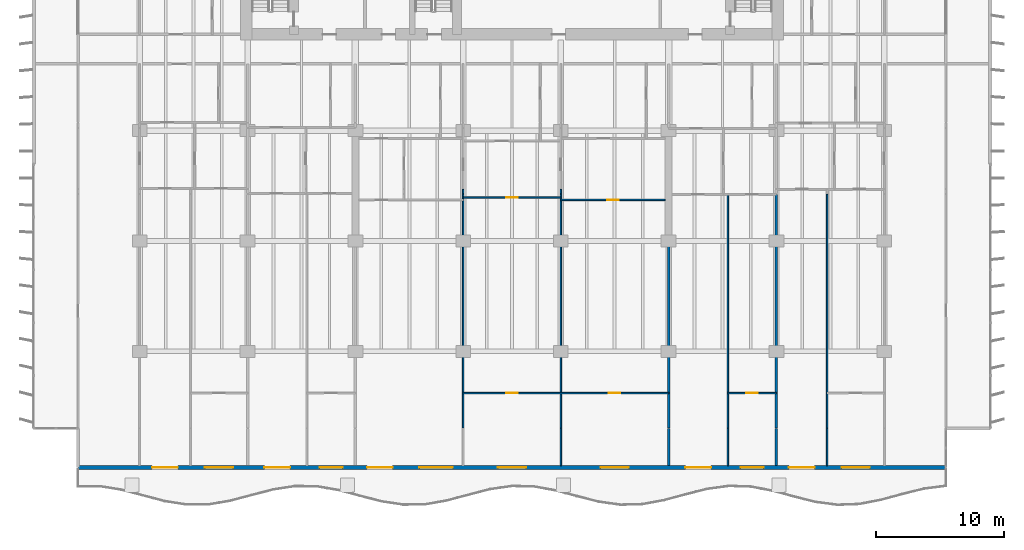
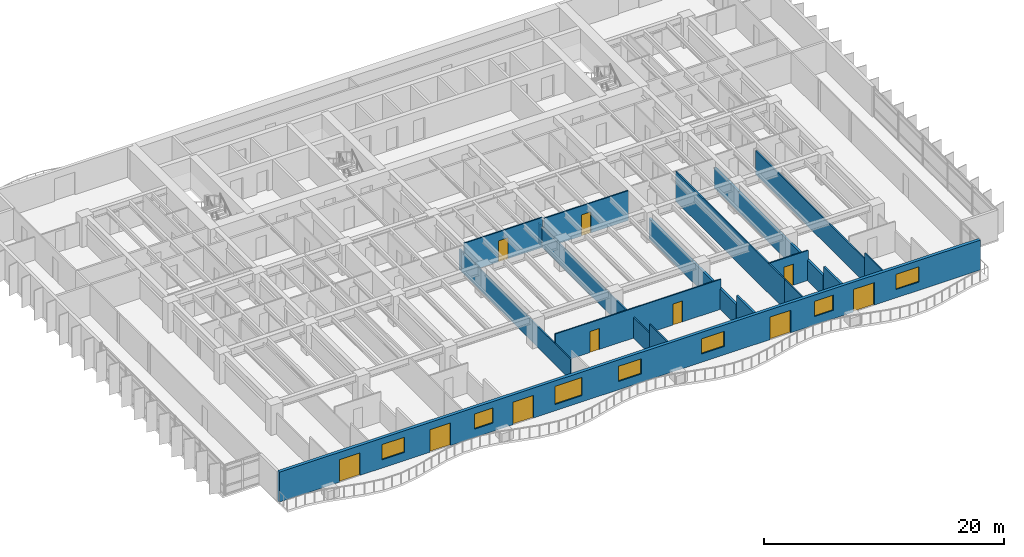
# One storey, part 8 of 17: 18 walls, 10 doors, 7 windows, 17 openings.
"""IFC4 building model written with IfcOpenShell, lengths in metres."""

from ifc_helpers import new_model, si_unit, direction, frame, frame_2d, origin, place, context, subcontext, project, spatial, rectangle, extrude, material, layer, layer_set, type_object, element, fill, save


model = new_model("IFC4")

# Units and contexts
model_context = context("Model", 3, precision=1e-05, world=origin(), true_north=direction((0.0, 1.0)))
body_context = subcontext(model_context, "Body", "Model", "MODEL_VIEW")
ifc_project = project(units=[si_unit("LENGTHUNIT", "METRE"), si_unit("AREAUNIT", "SQUARE_METRE"), si_unit("VOLUMEUNIT", "CUBIC_METRE"), si_unit("PLANEANGLEUNIT", "RADIAN"), si_unit("MASSUNIT", "GRAM", prefix="KILO")], contexts=[model_context])

# Site, building, storey
site_placement = place(None, origin())
site = spatial("IfcSite", under=ifc_project, at=site_placement, CompositionType="ELEMENT")
building_placement = place(site_placement, origin())
building = spatial("IfcBuilding", under=site, at=building_placement, Name="Caelmar Bay Residences", CompositionType="ELEMENT")
storey_placement = place(building_placement, frame((0.0, 0.0, 53.10009765625)))
storey = spatial("IfcBuildingStorey", under=building, at=storey_placement, Name="L13", CompositionType="ELEMENT", Elevation=53.10009765625)

# Wall, openings, doors, windows
ifc_material_1 = material(Name="Precast concrete f'c 40 MPa (6,000 psi)", Category="concrete")
ifc_layer_1 = layer(ifc_material_1, 0.300048828125)
ifc_layer_set_1 = layer_set([ifc_layer_1], Name="Precast concrete f'c 40 MPa (6,000 psi)")
wall_type_1 = type_object("IfcWallType", Name="W-EXT-300", PredefinedType="STANDARD", material=ifc_layer_set_1)
wall_1_placement = place(storey_placement, frame((72.699951171875, 3.14990234375, 0.0), z_axis=(0.0, 0.0, 1.0), x_axis=(-1.0, 0.0, 0.0)))
wall_1 = element("IfcWall", 1, at=wall_1_placement, inside=storey, type_object=wall_type_1, Name="L13 South Bayfront Exterior Wall", PredefinedType="STANDARD", context=body_context, shape_type="SweptSolid", body=[
    extrude(rectangle(XDim=67.599853515625, YDim=0.300048828125, at=frame_2d((33.7998046875, 0.0))), origin(), (0.0, 0.0, 1.0), 3.0498046875),
])
opening_1_placement = place(wall_1_placement, frame((59.825927734375, 0.0, 0.0)))
opening_1 = element("IfcOpeningElement", 2, at=opening_1_placement, cuts=wall_1, Name="Opening L13-BD01", PredefinedType="OPENING", context=body_context, shape_type="SweptSolid", body=[
    extrude(rectangle(XDim=2.0, YDim=2.300048828125, at=frame_2d((1.0, 1.14990234375))), frame((0.0, 0.159912109375, 0.0), z_axis=(0.0, -1.0, 0.0), x_axis=(1.0, 0.0, 0.0)), (0.0, 0.0, 1.0), 0.320068359375),
])
opening_2_placement = place(wall_1_placement, frame((55.52587890625, 0.0, 0.85009765625)))
opening_2 = element("IfcOpeningElement", 3, at=opening_2_placement, cuts=wall_1, Name="Opening WN2", PredefinedType="OPENING", context=body_context, shape_type="SweptSolid", body=[
    extrude(rectangle(XDim=2.199951171875, YDim=1.550048828125, at=frame_2d((1.10009765625, 0.77490234375))), frame((0.0, 0.159912109375, 0.0), z_axis=(0.0, -1.0, 0.0), x_axis=(1.0, 0.0, 0.0)), (0.0, 0.0, 1.0), 0.320068359375),
])
opening_3_placement = place(wall_1_placement, frame((51.090087890625, 0.0, 0.0)))
opening_3 = element("IfcOpeningElement", 4, at=opening_3_placement, cuts=wall_1, Name="Opening L13-BD02", PredefinedType="OPENING", context=body_context, shape_type="SweptSolid", body=[
    extrude(rectangle(XDim=2.0, YDim=2.300048828125, at=frame_2d((1.0, 1.14990234375))), frame((0.0, 0.159912109375, 0.0), z_axis=(0.0, -1.0, 0.0), x_axis=(1.0, 0.0, 0.0)), (0.0, 0.0, 1.0), 0.320068359375),
])
opening_4_placement = place(wall_1_placement, frame((46.989990234375, 0.0, 0.85009765625)))
opening_4 = element("IfcOpeningElement", 5, at=opening_4_placement, cuts=wall_1, Name="Opening WN1", PredefinedType="OPENING", context=body_context, shape_type="SweptSolid", body=[
    extrude(rectangle(XDim=1.800048828125, YDim=1.550048828125, at=frame_2d((0.89990234375, 0.77490234375))), frame((0.0, 0.159912109375, 0.0), z_axis=(0.0, -1.0, 0.0), x_axis=(1.0, 0.0, 0.0)), (0.0, 0.0, 1.0), 0.320068359375),
])
opening_5_placement = place(wall_1_placement, frame((43.090087890625, 0.0, 0.0)))
opening_5 = element("IfcOpeningElement", 6, at=opening_5_placement, cuts=wall_1, Name="Opening L13-BD03", PredefinedType="OPENING", context=body_context, shape_type="SweptSolid", body=[
    extrude(rectangle(XDim=2.0, YDim=2.300048828125, at=frame_2d((1.0, 1.14990234375))), frame((0.0, 0.159912109375, 0.0), z_axis=(0.0, -1.0, 0.0), x_axis=(1.0, 0.0, 0.0)), (0.0, 0.0, 1.0), 0.320068359375),
])
opening_6_placement = place(wall_1_placement, frame((38.409912109375, 0.0, 0.64990234375)))
opening_6 = element("IfcOpeningElement", 7, at=opening_6_placement, cuts=wall_1, Name="Opening WN3", PredefinedType="OPENING", context=body_context, shape_type="SweptSolid", body=[
    extrude(rectangle(XDim=2.60009765625, YDim=1.85009765625, at=frame_2d((1.300048828125, 0.925048828125))), frame((0.0, 0.159912109375, 0.0), z_axis=(0.0, -1.0, 0.0), x_axis=(1.0, 0.0, 0.0)), (0.0, 0.0, 1.0), 0.320068359375),
])
opening_7_placement = place(wall_1_placement, frame((32.699951171875, 0.0, 0.85009765625)))
opening_7 = element("IfcOpeningElement", 8, at=opening_7_placement, cuts=wall_1, Name="Opening WN2", PredefinedType="OPENING", context=body_context, shape_type="SweptSolid", body=[
    extrude(rectangle(XDim=2.199951171875, YDim=1.550048828125, at=frame_2d((1.10009765625, 0.77490234375))), frame((0.0, 0.159912109375, 0.0), z_axis=(0.0, -1.0, 0.0), x_axis=(1.0, 0.0, 0.0)), (0.0, 0.0, 1.0), 0.320068359375),
])
opening_8_placement = place(wall_1_placement, frame((24.699951171875, 0.0, 0.85009765625)))
opening_8 = element("IfcOpeningElement", 9, at=opening_8_placement, cuts=wall_1, Name="Opening WN2", PredefinedType="OPENING", context=body_context, shape_type="SweptSolid", body=[
    extrude(rectangle(XDim=2.199951171875, YDim=1.550048828125, at=frame_2d((1.10009765625, 0.77490234375))), frame((0.0, 0.159912109375, 0.0), z_axis=(0.0, -1.0, 0.0), x_axis=(1.0, 0.0, 0.0)), (0.0, 0.0, 1.0), 0.320068359375),
])
opening_9_placement = place(wall_1_placement, frame((18.2900390625, 0.0, 0.0)))
opening_9 = element("IfcOpeningElement", 10, at=opening_9_placement, cuts=wall_1, Name="Opening L13-BD04", PredefinedType="OPENING", context=body_context, shape_type="SweptSolid", body=[
    extrude(rectangle(XDim=2.0, YDim=2.300048828125, at=frame_2d((1.0, 1.14990234375))), frame((0.0, 0.159912109375, 0.0), z_axis=(0.0, -1.0, 0.0), x_axis=(1.0, 0.0, 0.0)), (0.0, 0.0, 1.0), 0.320068359375),
])
opening_10_placement = place(wall_1_placement, frame((14.18994140625, 0.0, 0.85009765625)))
opening_10 = element("IfcOpeningElement", 11, at=opening_10_placement, cuts=wall_1, Name="Opening WN1", PredefinedType="OPENING", context=body_context, shape_type="SweptSolid", body=[
    extrude(rectangle(XDim=1.800048828125, YDim=1.550048828125, at=frame_2d((0.89990234375, 0.77490234375))), frame((0.0, 0.159912109375, 0.0), z_axis=(0.0, -1.0, 0.0), x_axis=(1.0, 0.0, 0.0)), (0.0, 0.0, 1.0), 0.320068359375),
])
opening_11_placement = place(wall_1_placement, frame((10.22607421875, 0.0, 0.0)))
opening_11 = element("IfcOpeningElement", 12, at=opening_11_placement, cuts=wall_1, Name="Opening L13-BD05", PredefinedType="OPENING", context=body_context, shape_type="SweptSolid", body=[
    extrude(rectangle(XDim=2.0, YDim=2.300048828125, at=frame_2d((1.0, 1.14990234375))), frame((0.0, 0.159912109375, 0.0), z_axis=(0.0, -1.0, 0.0), x_axis=(1.0, 0.0, 0.0)), (0.0, 0.0, 1.0), 0.320068359375),
])
opening_12_placement = place(wall_1_placement, frame((5.926025390625, 0.0, 0.85009765625)))
opening_12 = element("IfcOpeningElement", 13, at=opening_12_placement, cuts=wall_1, Name="Opening WN2", PredefinedType="OPENING", context=body_context, shape_type="SweptSolid", body=[
    extrude(rectangle(XDim=2.199951171875, YDim=1.550048828125, at=frame_2d((1.10009765625, 0.77490234375))), frame((0.0, 0.159912109375, 0.0), z_axis=(0.0, -1.0, 0.0), x_axis=(1.0, 0.0, 0.0)), (0.0, 0.0, 1.0), 0.320068359375),
])
ifc_material_2 = material(Name="Anodised bronze thermally broken sliding glass door", Category="glass")
ifc_layer_2 = layer(ifc_material_2, 0.050048828125)
ifc_layer_set_2 = layer_set([ifc_layer_2], Name="Anodised bronze thermally broken sliding glass door")
door_type_1 = type_object("IfcDoorType", Name="D-BAL-2000", OperationType="DOUBLE_DOOR_SLIDING", PredefinedType="DOOR", material=ifc_layer_set_2)
door_1_placement = place(opening_1_placement, origin())
door_1 = element("IfcDoor", 14, at=door_1_placement, inside=storey, type_object=door_type_1, Name="L13 Residence 01 Penthouse Living Salon Balcony Door", OperationType="DOUBLE_DOOR_SLIDING", OverallHeight=2.300048828125, OverallWidth=2.0, PredefinedType="DOOR", context=body_context, shape_type="SweptSolid", body=[
    extrude(rectangle(XDim=2.0, YDim=2.300048828125, at=frame_2d((1.0, 1.14990234375))), frame((0.0, 0.02490234375, 0.0), z_axis=(0.0, -1.0, 0.0), x_axis=(1.0, 0.0, 0.0)), (0.0, 0.0, 1.0), 0.050048828125),
])
fill(opening_1, door_1)
door_2_placement = place(opening_3_placement, origin())
door_2 = element("IfcDoor", 15, at=door_2_placement, inside=storey, type_object=door_type_1, Name="L13 Residence 02 Penthouse Living Salon Balcony Door", OperationType="DOUBLE_DOOR_SLIDING", OverallHeight=2.300048828125, OverallWidth=2.0, PredefinedType="DOOR", context=body_context, shape_type="SweptSolid", body=[
    extrude(rectangle(XDim=2.0, YDim=2.300048828125, at=frame_2d((1.0, 1.14990234375))), frame((0.0, 0.02490234375, 0.0), z_axis=(0.0, -1.0, 0.0), x_axis=(1.0, 0.0, 0.0)), (0.0, 0.0, 1.0), 0.050048828125),
])
fill(opening_3, door_2)
door_3_placement = place(opening_5_placement, origin())
door_3 = element("IfcDoor", 16, at=door_3_placement, inside=storey, type_object=door_type_1, Name="L13 Residence 03 Penthouse Living Salon Balcony Door", OperationType="DOUBLE_DOOR_SLIDING", OverallHeight=2.300048828125, OverallWidth=2.0, PredefinedType="DOOR", context=body_context, shape_type="SweptSolid", body=[
    extrude(rectangle(XDim=2.0, YDim=2.300048828125, at=frame_2d((1.0, 1.14990234375))), frame((0.0, 0.02490234375, 0.0), z_axis=(0.0, -1.0, 0.0), x_axis=(1.0, 0.0, 0.0)), (0.0, 0.0, 1.0), 0.050048828125),
])
fill(opening_5, door_3)
door_4_placement = place(opening_9_placement, origin())
door_4 = element("IfcDoor", 17, at=door_4_placement, inside=storey, type_object=door_type_1, Name="L13 Residence 04 Penthouse Living Salon Balcony Door", OperationType="DOUBLE_DOOR_SLIDING", OverallHeight=2.300048828125, OverallWidth=2.0, PredefinedType="DOOR", context=body_context, shape_type="SweptSolid", body=[
    extrude(rectangle(XDim=2.0, YDim=2.300048828125, at=frame_2d((1.0, 1.14990234375))), frame((0.0, 0.02490234375, 0.0), z_axis=(0.0, -1.0, 0.0), x_axis=(1.0, 0.0, 0.0)), (0.0, 0.0, 1.0), 0.050048828125),
])
fill(opening_9, door_4)
door_5_placement = place(opening_11_placement, origin())
door_5 = element("IfcDoor", 18, at=door_5_placement, inside=storey, type_object=door_type_1, Name="L13 Residence 05 Penthouse Living Salon Balcony Door", OperationType="DOUBLE_DOOR_SLIDING", OverallHeight=2.300048828125, OverallWidth=2.0, PredefinedType="DOOR", context=body_context, shape_type="SweptSolid", body=[
    extrude(rectangle(XDim=2.0, YDim=2.300048828125, at=frame_2d((1.0, 1.14990234375))), frame((0.0, 0.02490234375, 0.0), z_axis=(0.0, -1.0, 0.0), x_axis=(1.0, 0.0, 0.0)), (0.0, 0.0, 1.0), 0.050048828125),
])
fill(opening_11, door_5)
ifc_material_3 = material(Name="Bronze aluminium frame with laminated low-E glass", Category="aluminium")
ifc_layer_3 = layer(ifc_material_3, 0.06005859375)
ifc_layer_set_3 = layer_set([ifc_layer_3], Name="Bronze aluminium frame with laminated low-E glass")
window_type_1 = type_object("IfcWindowType", Name="WIN-BR-1800", PartitioningType="SINGLE_PANEL", PredefinedType="WINDOW", material=ifc_layer_set_3)
window_1_placement = place(opening_4_placement, origin())
window_1 = element("IfcWindow", 19, at=window_1_placement, inside=storey, type_object=window_type_1, Name="L13 Residence 02 Primary Bedroom Window", OverallHeight=1.550048828125, OverallWidth=1.800048828125, PartitioningType="SINGLE_PANEL", PredefinedType="WINDOW", context=body_context, shape_type="SweptSolid", body=[
    extrude(rectangle(XDim=1.800048828125, YDim=1.550048828125, at=frame_2d((0.89990234375, 0.77490234375))), frame((0.0, 0.030029296875, 0.0), z_axis=(0.0, -1.0, 0.0), x_axis=(1.0, 0.0, 0.0)), (0.0, 0.0, 1.0), 0.06005859375),
])
fill(opening_4, window_1)
window_2_placement = place(opening_10_placement, origin())
window_2 = element("IfcWindow", 20, at=window_2_placement, inside=storey, type_object=window_type_1, Name="L13 Residence 04 Primary Bedroom Window", OverallHeight=1.550048828125, OverallWidth=1.800048828125, PartitioningType="SINGLE_PANEL", PredefinedType="WINDOW", context=body_context, shape_type="SweptSolid", body=[
    extrude(rectangle(XDim=1.800048828125, YDim=1.550048828125, at=frame_2d((0.89990234375, 0.77490234375))), frame((0.0, 0.030029296875, 0.0), z_axis=(0.0, -1.0, 0.0), x_axis=(1.0, 0.0, 0.0)), (0.0, 0.0, 1.0), 0.06005859375),
])
fill(opening_10, window_2)
ifc_layer_4 = layer(ifc_material_3, 0.06005859375)
ifc_layer_set_4 = layer_set([ifc_layer_4], Name="Bronze aluminium frame with laminated low-E glass")
window_type_2 = type_object("IfcWindowType", Name="WIN-BR-2200", PartitioningType="SINGLE_PANEL", PredefinedType="WINDOW", material=ifc_layer_set_4)
window_3_placement = place(opening_2_placement, origin())
window_3 = element("IfcWindow", 21, at=window_3_placement, inside=storey, type_object=window_type_2, Name="L13 Residence 01 Primary Bedroom Window", OverallHeight=1.550048828125, OverallWidth=2.199951171875, PartitioningType="SINGLE_PANEL", PredefinedType="WINDOW", context=body_context, shape_type="SweptSolid", body=[
    extrude(rectangle(XDim=2.199951171875, YDim=1.550048828125, at=frame_2d((1.10009765625, 0.77490234375))), frame((0.0, 0.030029296875, 0.0), z_axis=(0.0, -1.0, 0.0), x_axis=(1.0, 0.0, 0.0)), (0.0, 0.0, 1.0), 0.06005859375),
])
fill(opening_2, window_3)
window_4_placement = place(opening_7_placement, origin())
window_4 = element("IfcWindow", 22, at=window_4_placement, inside=storey, type_object=window_type_2, Name="L13 Residence 03 Primary Bedroom 1 Window", OverallHeight=1.550048828125, OverallWidth=2.199951171875, PartitioningType="SINGLE_PANEL", PredefinedType="WINDOW", context=body_context, shape_type="SweptSolid", body=[
    extrude(rectangle(XDim=2.199951171875, YDim=1.550048828125, at=frame_2d((1.10009765625, 0.77490234375))), frame((0.0, 0.030029296875, 0.0), z_axis=(0.0, -1.0, 0.0), x_axis=(1.0, 0.0, 0.0)), (0.0, 0.0, 1.0), 0.06005859375),
])
fill(opening_7, window_4)
window_5_placement = place(opening_8_placement, origin())
window_5 = element("IfcWindow", 23, at=window_5_placement, inside=storey, type_object=window_type_2, Name="L13 Residence 03 Primary Bedroom 2 Window", OverallHeight=1.550048828125, OverallWidth=2.199951171875, PartitioningType="SINGLE_PANEL", PredefinedType="WINDOW", context=body_context, shape_type="SweptSolid", body=[
    extrude(rectangle(XDim=2.199951171875, YDim=1.550048828125, at=frame_2d((1.10009765625, 0.77490234375))), frame((0.0, 0.030029296875, 0.0), z_axis=(0.0, -1.0, 0.0), x_axis=(1.0, 0.0, 0.0)), (0.0, 0.0, 1.0), 0.06005859375),
])
fill(opening_8, window_5)
window_6_placement = place(opening_12_placement, origin())
window_6 = element("IfcWindow", 24, at=window_6_placement, inside=storey, type_object=window_type_2, Name="L13 Residence 05 Primary Bedroom Window", OverallHeight=1.550048828125, OverallWidth=2.199951171875, PartitioningType="SINGLE_PANEL", PredefinedType="WINDOW", context=body_context, shape_type="SweptSolid", body=[
    extrude(rectangle(XDim=2.199951171875, YDim=1.550048828125, at=frame_2d((1.10009765625, 0.77490234375))), frame((0.0, 0.030029296875, 0.0), z_axis=(0.0, -1.0, 0.0), x_axis=(1.0, 0.0, 0.0)), (0.0, 0.0, 1.0), 0.06005859375),
])
fill(opening_12, window_6)
ifc_layer_5 = layer(ifc_material_3, 0.06005859375)
ifc_layer_set_5 = layer_set([ifc_layer_5], Name="Bronze aluminium frame with laminated low-E glass")
window_type_3 = type_object("IfcWindowType", Name="WIN-LIV-2600", PartitioningType="SINGLE_PANEL", PredefinedType="WINDOW", material=ifc_layer_set_5)
window_7_placement = place(opening_6_placement, origin())
window_7 = element("IfcWindow", 25, at=window_7_placement, inside=storey, type_object=window_type_3, Name="L13 Residence 03 Penthouse Living Salon Panoramic Window", OverallHeight=1.85009765625, OverallWidth=2.60009765625, PartitioningType="SINGLE_PANEL", PredefinedType="WINDOW", context=body_context, shape_type="SweptSolid", body=[
    extrude(rectangle(XDim=2.60009765625, YDim=1.85009765625, at=frame_2d((1.300048828125, 0.925048828125))), frame((0.0, 0.030029296875, 0.0), z_axis=(0.0, -1.0, 0.0), x_axis=(1.0, 0.0, 0.0)), (0.0, 0.0, 1.0), 0.06005859375),
])
fill(opening_6, window_7)

# Walls
ifc_material_4 = material(Name="Acoustic metal-stud gypsum partition 120 mm")
ifc_layer_6 = layer(ifc_material_4, 0.1201171875)
ifc_layer_set_6 = layer_set([ifc_layer_6], Name="Acoustic metal-stud gypsum partition 120 mm")
wall_type_2 = type_object("IfcWallType", Name="W-PRT-120", PredefinedType="PARTITIONING", material=ifc_layer_set_6)
wall_2_placement = place(storey_placement, frame((35.10009765625, 6.239990234375, 0.0), z_axis=(0.0, 0.0, 1.0), x_axis=(0.0, 1.0, 0.0)))
element("IfcWall", 26, at=wall_2_placement, inside=storey, type_object=wall_type_2, Name="L13 Partition Wall V049", PredefinedType="PARTITIONING", context=body_context, shape_type="SweptSolid", body=[
    extrude(rectangle(XDim=18.18994140625, YDim=0.1201171875, at=frame_2d((9.094970703125, 0.0))), origin(), (0.0, 0.0, 1.0), 2.10986328125),
])
wall_3_placement = place(storey_placement, frame((35.10009765625, 24.489990234375, 0.0), z_axis=(0.0, 0.0, 1.0), x_axis=(0.0, 1.0, 0.0)))
element("IfcWall", 27, at=wall_3_placement, inside=storey, type_object=wall_type_2, Name="L13 Partition Wall V050", PredefinedType="PARTITIONING", context=body_context, shape_type="SweptSolid", body=[
    extrude(rectangle(XDim=0.340087890625, YDim=0.1201171875, at=frame_2d((0.169921875, 0.0))), origin(), (0.0, 0.0, 1.0), 2.10986328125),
])
wall_4_placement = place(storey_placement, frame((42.699951171875, 3.294921875, 0.0), z_axis=(0.0, 0.0, 1.0), x_axis=(0.0, 1.0, 0.0)))
element("IfcWall", 28, at=wall_4_placement, inside=storey, type_object=wall_type_2, Name="L13 Partition Wall V060", PredefinedType="PARTITIONING", context=body_context, shape_type="SweptSolid", body=[
    extrude(rectangle(XDim=2.905029296875, YDim=0.1201171875, at=frame_2d((1.45263671875, 0.0))), origin(), (0.0, 0.0, 1.0), 3.0498046875),
])
wall_5_placement = place(storey_placement, frame((42.699951171875, 6.239990234375, 0.0), z_axis=(0.0, 0.0, 1.0), x_axis=(0.0, 1.0, 0.0)))
element("IfcWall", 29, at=wall_5_placement, inside=storey, type_object=wall_type_2, Name="L13 Partition Wall V061", PredefinedType="PARTITIONING", context=body_context, shape_type="SweptSolid", body=[
    extrude(rectangle(XDim=18.18994140625, YDim=0.1201171875, at=frame_2d((9.094970703125, 0.0))), origin(), (0.0, 0.0, 1.0), 2.10986328125),
])
wall_6_placement = place(storey_placement, frame((42.699951171875, 24.489990234375, 0.0), z_axis=(0.0, 0.0, 1.0), x_axis=(0.0, 1.0, 0.0)))
element("IfcWall", 30, at=wall_6_placement, inside=storey, type_object=wall_type_2, Name="L13 Partition Wall V062", PredefinedType="PARTITIONING", context=body_context, shape_type="SweptSolid", body=[
    extrude(rectangle(XDim=0.340087890625, YDim=0.1201171875, at=frame_2d((0.169921875, 0.0))), origin(), (0.0, 0.0, 1.0), 2.10986328125),
])
wall_7_placement = place(storey_placement, frame((55.719970703125, 3.294921875, 0.0), z_axis=(0.0, 0.0, 1.0), x_axis=(0.0, 1.0, 0.0)))
element("IfcWall", 31, at=wall_7_placement, inside=storey, type_object=wall_type_2, Name="L13 Partition Wall V081", PredefinedType="PARTITIONING", context=body_context, shape_type="SweptSolid", body=[
    extrude(rectangle(XDim=2.905029296875, YDim=0.1201171875, at=frame_2d((1.45263671875, 0.0))), origin(), (0.0, 0.0, 1.0), 3.0498046875),
])
wall_8_placement = place(storey_placement, frame((55.719970703125, 6.239990234375, 0.0), z_axis=(0.0, 0.0, 1.0), x_axis=(0.0, 1.0, 0.0)))
element("IfcWall", 32, at=wall_8_placement, inside=storey, type_object=wall_type_2, Name="L13 Partition Wall V082", PredefinedType="PARTITIONING", context=body_context, shape_type="SweptSolid", body=[
    extrude(rectangle(XDim=18.18994140625, YDim=0.1201171875, at=frame_2d((9.094970703125, 0.0))), origin(), (0.0, 0.0, 1.0), 3.0498046875),
])
wall_9_placement = place(storey_placement, frame((63.447998046875, 3.294921875, 0.0), z_axis=(0.0, 0.0, 1.0), x_axis=(0.0, 1.0, 0.0)))
element("IfcWall", 33, at=wall_9_placement, inside=storey, type_object=wall_type_2, Name="L13 Partition Wall V093", PredefinedType="PARTITIONING", context=body_context, shape_type="SweptSolid", body=[
    extrude(rectangle(XDim=2.905029296875, YDim=0.1201171875, at=frame_2d((1.45263671875, 0.0))), origin(), (0.0, 0.0, 1.0), 3.0498046875),
])
wall_10_placement = place(storey_placement, frame((63.447998046875, 6.239990234375, 0.0), z_axis=(0.0, 0.0, 1.0), x_axis=(0.0, 1.0, 0.0)))
element("IfcWall", 34, at=wall_10_placement, inside=storey, type_object=wall_type_2, Name="L13 Partition Wall V094", PredefinedType="PARTITIONING", context=body_context, shape_type="SweptSolid", body=[
    extrude(rectangle(XDim=18.18994140625, YDim=0.1201171875, at=frame_2d((9.094970703125, 0.0))), origin(), (0.0, 0.0, 1.0), 2.4228515625),
])

# Wall, openings, doors
wall_11_placement = place(storey_placement, frame((35.10009765625, 8.949951171875, 0.0), z_axis=(0.0, 0.0, 1.0), x_axis=(1.0, 0.0, 0.0)))
wall_11 = element("IfcWall", 35, at=wall_11_placement, inside=storey, type_object=wall_type_2, Name="L13 Partition Wall H115", PredefinedType="PARTITIONING", context=body_context, shape_type="SweptSolid", body=[
    extrude(rectangle(XDim=16.0, YDim=0.1201171875, at=frame_2d((8.0, 0.0))), origin(), (0.0, 0.0, 1.0), 3.0498046875),
])
opening_13_placement = place(wall_11_placement, frame((3.35009765625, 0.0, 0.0)))
opening_13 = element("IfcOpeningElement", 36, at=opening_13_placement, cuts=wall_11, Name="Opening D-L13-143", PredefinedType="OPENING", context=body_context, shape_type="SweptSolid", body=[
    extrude(rectangle(XDim=0.89990234375, YDim=2.14990234375, at=frame_2d((0.449951171875, 1.074951171875))), frame((0.0, 0.070068359375, 0.0), z_axis=(0.0, -1.0, 0.0), x_axis=(1.0, 0.0, 0.0)), (0.0, 0.0, 1.0), 0.14013671875),
])
opening_14_placement = place(wall_11_placement, frame((11.35009765625, 0.0, 0.0)))
opening_14 = element("IfcOpeningElement", 37, at=opening_14_placement, cuts=wall_11, Name="Opening D-L13-148", PredefinedType="OPENING", context=body_context, shape_type="SweptSolid", body=[
    extrude(rectangle(XDim=0.89990234375, YDim=2.14990234375, at=frame_2d((0.449951171875, 1.074951171875))), frame((0.0, 0.070068359375, 0.0), z_axis=(0.0, -1.0, 0.0), x_axis=(1.0, 0.0, 0.0)), (0.0, 0.0, 1.0), 0.14013671875),
])
ifc_material_5 = material(Name="Solid walnut timber interior door leaf and frame", Category="wood")
ifc_layer_7 = layer(ifc_material_5, 0.050048828125)
ifc_layer_set_7 = layer_set([ifc_layer_7], Name="Solid walnut timber interior door leaf and frame")
door_type_2 = type_object("IfcDoorType", Name="D-ROOM-900", OperationType="NOTDEFINED", PredefinedType="DOOR", material=ifc_layer_set_7)
door_6_placement = place(opening_13_placement, origin())
door_6 = element("IfcDoor", 38, at=door_6_placement, inside=storey, type_object=door_type_2, Name="L13 Residence 03 Primary Bedroom 1 Door", OperationType="SINGLE_SWING_RIGHT", OverallHeight=2.14990234375, OverallWidth=0.89990234375, PredefinedType="DOOR", context=body_context, shape_type="SweptSolid", body=[
    extrude(rectangle(XDim=0.89990234375, YDim=2.14990234375, at=frame_2d((0.449951171875, 1.074951171875))), frame((0.0, 0.02490234375, 0.0), z_axis=(0.0, -1.0, 0.0), x_axis=(1.0, 0.0, 0.0)), (0.0, 0.0, 1.0), 0.050048828125),
])
fill(opening_13, door_6)
door_7_placement = place(opening_14_placement, origin())
door_7 = element("IfcDoor", 39, at=door_7_placement, inside=storey, type_object=door_type_2, Name="L13 Residence 03 Primary Bedroom 2 Door", OperationType="SINGLE_SWING_LEFT", OverallHeight=2.14990234375, OverallWidth=0.89990234375, PredefinedType="DOOR", context=body_context, shape_type="SweptSolid", body=[
    extrude(rectangle(XDim=0.89990234375, YDim=2.14990234375, at=frame_2d((0.449951171875, 1.074951171875))), frame((0.0, 0.02490234375, 0.0), z_axis=(0.0, -1.0, 0.0), x_axis=(1.0, 0.0, 0.0)), (0.0, 0.0, 1.0), 0.050048828125),
])
fill(opening_14, door_7)

# Wall, opening, door
wall_12_placement = place(storey_placement, frame((55.719970703125, 8.949951171875, 0.0), z_axis=(0.0, 0.0, 1.0), x_axis=(1.0, 0.0, 0.0)))
wall_12 = element("IfcWall", 40, at=wall_12_placement, inside=storey, type_object=wall_type_2, Name="L13 Partition Wall H116", PredefinedType="PARTITIONING", context=body_context, shape_type="SweptSolid", body=[
    extrude(rectangle(XDim=3.780029296875, YDim=0.1201171875, at=frame_2d((1.89013671875, 0.0))), origin(), (0.0, 0.0, 1.0), 3.0498046875),
])
opening_15_placement = place(wall_12_placement, frame((1.43994140625, 0.0, 0.0)))
opening_15 = element("IfcOpeningElement", 41, at=opening_15_placement, cuts=wall_12, Name="Opening D-L13-155", PredefinedType="OPENING", context=body_context, shape_type="SweptSolid", body=[
    extrude(rectangle(XDim=0.89990234375, YDim=2.14990234375, at=frame_2d((0.449951171875, 1.074951171875))), frame((0.0, 0.070068359375, 0.0), z_axis=(0.0, -1.0, 0.0), x_axis=(1.0, 0.0, 0.0)), (0.0, 0.0, 1.0), 0.14013671875),
])
door_8_placement = place(opening_15_placement, origin())
door_8 = element("IfcDoor", 42, at=door_8_placement, inside=storey, type_object=door_type_2, Name="L13 Residence 04 Primary Bedroom Door", OperationType="SINGLE_SWING_RIGHT", OverallHeight=2.14990234375, OverallWidth=0.89990234375, PredefinedType="DOOR", context=body_context, shape_type="SweptSolid", body=[
    extrude(rectangle(XDim=0.89990234375, YDim=2.14990234375, at=frame_2d((0.449951171875, 1.074951171875))), frame((0.0, 0.02490234375, 0.0), z_axis=(0.0, -1.0, 0.0), x_axis=(1.0, 0.0, 0.0)), (0.0, 0.0, 1.0), 0.050048828125),
])
fill(opening_15, door_8)

wall_13_placement = place(storey_placement, frame((42.699951171875, 24.0, 0.0), z_axis=(0.0, 0.0, 1.0), x_axis=(1.0, 0.0, 0.0)))
wall_13 = element("IfcWall", 43, at=wall_13_placement, inside=storey, type_object=wall_type_2, Name="L13 Partition Wall H119", PredefinedType="PARTITIONING", context=body_context, shape_type="SweptSolid", body=[
    extrude(rectangle(XDim=8.130126953125, YDim=0.1201171875, at=frame_2d((4.06494140625, 0.0))), origin(), (0.0, 0.0, 1.0), 3.0498046875),
])
opening_16_placement = place(wall_13_placement, frame((3.614990234375, 0.0, 0.0)))
opening_16 = element("IfcOpeningElement", 44, at=opening_16_placement, cuts=wall_13, Name="Opening D-L13-147", PredefinedType="OPENING", context=body_context, shape_type="SweptSolid", body=[
    extrude(rectangle(XDim=0.89990234375, YDim=2.14990234375, at=frame_2d((0.449951171875, 1.074951171875))), frame((0.0, 0.070068359375, 0.0), z_axis=(0.0, -1.0, 0.0), x_axis=(1.0, 0.0, 0.0)), (0.0, 0.0, 1.0), 0.14013671875),
])
door_9_placement = place(opening_16_placement, origin())
door_9 = element("IfcDoor", 45, at=door_9_placement, inside=storey, type_object=door_type_2, Name="L13 Residence 03 Penthouse Sitting Salon 2 Door", OperationType="SINGLE_SWING_RIGHT", OverallHeight=2.14990234375, OverallWidth=0.89990234375, PredefinedType="DOOR", context=body_context, shape_type="SweptSolid", body=[
    extrude(rectangle(XDim=0.89990234375, YDim=2.14990234375, at=frame_2d((0.449951171875, 1.074951171875))), frame((0.0, 0.02490234375, 0.0), z_axis=(0.0, -1.0, 0.0), x_axis=(1.0, 0.0, 0.0)), (0.0, 0.0, 1.0), 0.050048828125),
])
fill(opening_16, door_9)

wall_14_placement = place(storey_placement, frame((35.10498046875, 24.199951171875, 0.0), z_axis=(0.0, 0.0, 1.0), x_axis=(1.0, 0.0, 0.0)))
wall_14 = element("IfcWall", 46, at=wall_14_placement, inside=storey, type_object=wall_type_2, Name="L13 Partition Wall H120", PredefinedType="PARTITIONING", context=body_context, shape_type="SweptSolid", body=[
    extrude(rectangle(XDim=7.590087890625, YDim=0.1201171875, at=frame_2d((3.794921875, 0.0))), origin(), (0.0, 0.0, 1.0), 3.0498046875),
])
opening_17_placement = place(wall_14_placement, frame((3.344970703125, 0.0, 0.0)))
opening_17 = element("IfcOpeningElement", 47, at=opening_17_placement, cuts=wall_14, Name="Opening D-L13-142", PredefinedType="OPENING", context=body_context, shape_type="SweptSolid", body=[
    extrude(rectangle(XDim=0.89990234375, YDim=2.14990234375, at=frame_2d((0.449951171875, 1.074951171875))), frame((0.0, 0.070068359375, 0.0), z_axis=(0.0, -1.0, 0.0), x_axis=(1.0, 0.0, 0.0)), (0.0, 0.0, 1.0), 0.14013671875),
])
door_10_placement = place(opening_17_placement, origin())
door_10 = element("IfcDoor", 48, at=door_10_placement, inside=storey, type_object=door_type_2, Name="L13 Residence 03 Penthouse Sitting Salon 1 Door", OperationType="SINGLE_SWING_LEFT", OverallHeight=2.14990234375, OverallWidth=0.89990234375, PredefinedType="DOOR", context=body_context, shape_type="SweptSolid", body=[
    extrude(rectangle(XDim=0.89990234375, YDim=2.14990234375, at=frame_2d((0.449951171875, 1.074951171875))), frame((0.0, 0.02490234375, 0.0), z_axis=(0.0, -1.0, 0.0), x_axis=(1.0, 0.0, 0.0)), (0.0, 0.0, 1.0), 0.050048828125),
])
fill(opening_17, door_10)

# Walls
ifc_material_6 = material(Name="Acoustic twin-stud fire-rated inter-tenancy partition 200 mm")
ifc_layer_8 = layer(ifc_material_6, 0.199951171875)
ifc_layer_set_8 = layer_set([ifc_layer_8], Name="Acoustic twin-stud fire-rated inter-tenancy partition 200 mm")
wall_type_3 = type_object("IfcWallType", Name="W-PTY-200", PredefinedType="PARTITIONING", material=ifc_layer_set_8)
wall_15_placement = place(storey_placement, frame((51.10009765625, 3.294921875, 0.0), z_axis=(0.0, 0.0, 1.0), x_axis=(0.0, 1.0, 0.0)))
element("IfcWall", 49, at=wall_15_placement, inside=storey, type_object=wall_type_3, Name="L13 Partition Wall V074", PredefinedType="PARTITIONING", context=body_context, shape_type="SweptSolid", body=[
    extrude(rectangle(XDim=2.905029296875, YDim=0.199951171875, at=frame_2d((1.45263671875, 0.0))), origin(), (0.0, 0.0, 1.0), 3.0498046875),
])
wall_16_placement = place(storey_placement, frame((51.10009765625, 6.239990234375, 0.0), z_axis=(0.0, 0.0, 1.0), x_axis=(0.0, 1.0, 0.0)))
element("IfcWall", 50, at=wall_16_placement, inside=storey, type_object=wall_type_3, Name="L13 Partition Wall V075", PredefinedType="PARTITIONING", context=body_context, shape_type="SweptSolid", body=[
    extrude(rectangle(XDim=14.554931640625, YDim=0.199951171875, at=frame_2d((7.27734375, 0.0))), origin(), (0.0, 0.0, 1.0), 2.10986328125),
])
wall_17_placement = place(storey_placement, frame((59.5, 3.294921875, 0.0), z_axis=(0.0, 0.0, 1.0), x_axis=(0.0, 1.0, 0.0)))
element("IfcWall", 51, at=wall_17_placement, inside=storey, type_object=wall_type_3, Name="L13 Partition Wall V086", PredefinedType="PARTITIONING", context=body_context, shape_type="SweptSolid", body=[
    extrude(rectangle(XDim=2.905029296875, YDim=0.199951171875, at=frame_2d((1.45263671875, 0.0))), origin(), (0.0, 0.0, 1.0), 3.0498046875),
])
wall_18_placement = place(storey_placement, frame((59.5, 6.239990234375, 0.0), z_axis=(0.0, 0.0, 1.0), x_axis=(0.0, 1.0, 0.0)))
element("IfcWall", 52, at=wall_18_placement, inside=storey, type_object=wall_type_3, Name="L13 Partition Wall V087", PredefinedType="PARTITIONING", context=body_context, shape_type="SweptSolid", body=[
    extrude(rectangle(XDim=18.18994140625, YDim=0.199951171875, at=frame_2d((9.094970703125, 0.0))), origin(), (0.0, 0.0, 1.0), 2.10986328125),
])

save(model, "model.ifc")
